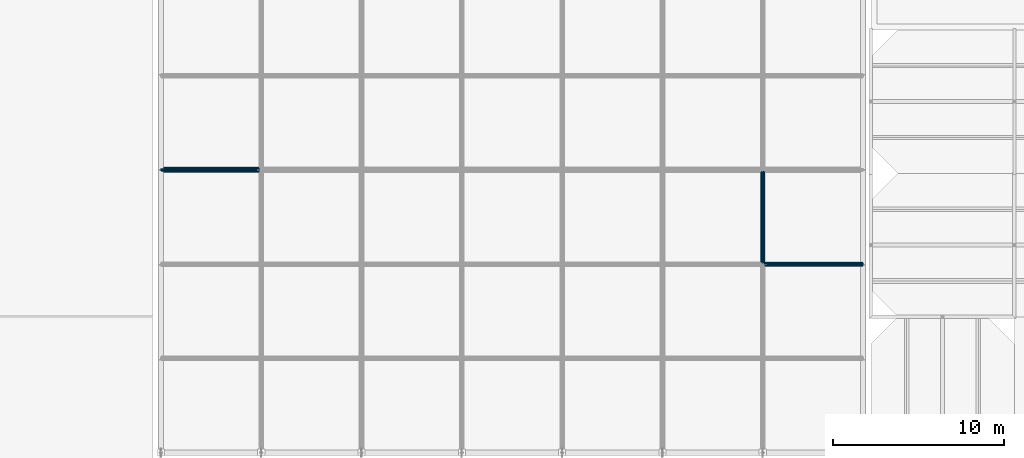
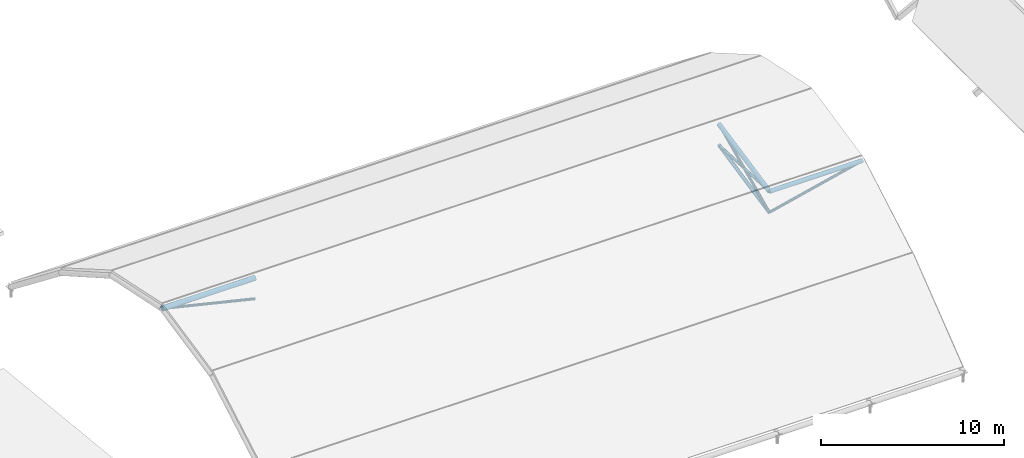
# One storey, part 7 of 82: 8 members.
"""IFC4 building model written with IfcOpenShell, lengths in metres."""

import ifcopenshell
import ifcopenshell.guid

model = None  # the IFC model being written
_history = None  # IfcOwnerHistory: only IFC2X3 demands one
_inside = {}  # id of a spatial element -> (the spatial element, [elements in it])
_under = {}  # id of a project, library or spatial element -> (it, [spatial elements below it])
_declared = {}  # id of a project -> (the project, [libraries it declares])
_typed = {}  # id of a type object -> (the type object, [elements of that type])
_made_of = {}  # id of a material, layer set ... -> (it, [elements and type objects made of it])


def new_model(schema):
    """Start an empty IFC model of exactly this schema.

    Asked for "IFC4X3", IfcOpenShell would pick the latest addendum, in which some entities
    have other attributes; the version numbers below select the first issue.
    IFC2X3 requires an IfcOwnerHistory on every rooted entity: one is made here for all.
    """
    global model, _history
    if schema == "IFC4X3":
        model = ifcopenshell.file(schema_version=(4, 3, 0, 0))
    else:
        model = ifcopenshell.file(schema=schema)
    _inside.clear()
    _under.clear()
    _declared.clear()
    _typed.clear()
    _made_of.clear()
    _history = None
    if model.schema == "IFC2X3":
        org = make("IfcOrganization", Name="unknown")
        user = make(
            "IfcPersonAndOrganization",
            ThePerson=make("IfcPerson", FamilyName="unknown"),
            TheOrganization=org,
        )
        app = make(
            "IfcApplication",
            ApplicationDeveloper=org,
            Version="unknown",
            ApplicationFullName="unknown",
            ApplicationIdentifier="unknown",
        )
        _history = make(
            "IfcOwnerHistory",
            OwningUser=user,
            OwningApplication=app,
            ChangeAction="ADDED",
            CreationDate=0,
        )
    return model


def make(cls, **values):
    """One entity of the class cls with the attributes given. An attribute that is None is left unset."""
    return model.create_entity(
        cls, **{name: value for name, value in values.items() if value is not None}
    )


def rooted(cls, **values):
    """An entity with a GlobalId (a new one), such as an element, a storey or a relation."""
    return make(cls, GlobalId=ifcopenshell.guid.new(), OwnerHistory=_history, **values)


def si_unit(unit_type, name, prefix=None):
    """IfcSIUnit, for example si_unit("LENGTHUNIT", "METRE", prefix="MILLI")."""
    return make("IfcSIUnit", UnitType=unit_type, Prefix=prefix, Name=name)


def assignment(units):
    """IfcUnitAssignment: the units of a project."""
    return None if units is None else make("IfcUnitAssignment", Units=units)


def point(xyz):
    """IfcCartesianPoint."""
    return None if xyz is None else make("IfcCartesianPoint", Coordinates=xyz)


def direction(xyz):
    """IfcDirection."""
    return None if xyz is None else make("IfcDirection", DirectionRatios=xyz)


def frame(location, z_axis=None, x_axis=None):
    """IfcAxis2Placement3D, a coordinate frame: its origin and axes. An axis left out is left unset."""
    return make(
        "IfcAxis2Placement3D",
        Location=point(location),
        Axis=direction(z_axis),
        RefDirection=direction(x_axis),
    )


def frame_2d(location, x_axis=None):
    """IfcAxis2Placement2D, a coordinate frame in the plane: its origin and x axis."""
    return make(
        "IfcAxis2Placement2D", Location=point(location), RefDirection=direction(x_axis)
    )


def origin():
    """The frame at (0, 0, 0) with its axes left unset."""
    return frame((0.0, 0.0, 0.0))


def origin_2d():
    """The frame at (0, 0) in the plane with its x axis left unset."""
    return frame_2d((0.0, 0.0))


def place(relative_to, where):
    """IfcLocalPlacement: puts the frame where relative to a parent placement (None: the world)."""
    return make(
        "IfcLocalPlacement", PlacementRelTo=relative_to, RelativePlacement=where
    )


def context(
    kind, dimensions, precision=None, world=None, true_north=None, identifier=None
):
    """IfcGeometricRepresentationContext, for example the 3D "Model" context."""
    return make(
        "IfcGeometricRepresentationContext",
        ContextIdentifier=identifier,
        ContextType=kind,
        CoordinateSpaceDimension=dimensions,
        Precision=precision,
        WorldCoordinateSystem=world,
        TrueNorth=true_north,
    )


def subcontext(parent, identifier, kind, view, scale=None):
    """IfcGeometricRepresentationSubContext, for example "Body" below "Model"."""
    return make(
        "IfcGeometricRepresentationSubContext",
        ContextIdentifier=identifier,
        ContextType=kind,
        ParentContext=parent,
        TargetScale=scale,
        TargetView=view,
    )


def project(units=None, contexts=None):
    """IfcProject with its units and contexts."""
    return rooted(
        "IfcProject",
        Name="project",
        RepresentationContexts=contexts,
        UnitsInContext=assignment(units),
    )


def spatial(cls, under=None, at=None, **own):
    """A site, building, storey or space (cls), placed at a placement, below another one or the project."""
    s = rooted(cls, ObjectPlacement=at, **own)
    if under is not None:
        _under.setdefault(under.id(), (under, []))[1].append(s)
    return s


def profile(cls, at=None, kind="AREA", **sizes):
    """A parametric profile (cls). Its sizes go by their IFC names, for example OverallWidth=200.0."""
    return make(cls, ProfileType=kind, Position=at, **sizes)


def hollow_circle(**sizes):
    """IfcCircleHollowProfileDef."""
    return profile("IfcCircleHollowProfileDef", **sizes)


def extrude(swept, where, along, depth):
    """IfcExtrudedAreaSolid: the profile swept, set in the frame where, extruded along a direction by depth."""
    return make(
        "IfcExtrudedAreaSolid",
        SweptArea=swept,
        Position=where,
        ExtrudedDirection=direction(along),
        Depth=depth,
    )


def shape(context_of_items, identifier, shape_type, items):
    """IfcShapeRepresentation: the items that make up one representation, for example the "Body"."""
    return make(
        "IfcShapeRepresentation",
        ContextOfItems=context_of_items,
        RepresentationIdentifier=identifier,
        RepresentationType=shape_type,
        Items=items,
    )


def material(Name=None, Category=None):
    """IfcMaterial."""
    return make("IfcMaterial", Name=Name, Category=Category)


def material_profile(
    of_material, cross_section, Name=None, Category=None, Priority=None
):
    """IfcMaterialProfile: a cross section and its material."""
    return make(
        "IfcMaterialProfile",
        Name=Name,
        Material=of_material,
        Profile=cross_section,
        Priority=Priority,
        Category=Category,
    )


def profile_set(profiles, Name=None, composite=None):
    """IfcMaterialProfileSet."""
    return make(
        "IfcMaterialProfileSet",
        Name=Name,
        MaterialProfiles=profiles,
        CompositeProfile=composite,
    )


def made_of(thing, what):
    """Note that an element or type object is made of a material, layer set ...; save() writes the relation."""
    if what is not None:
        _made_of.setdefault(what.id(), (what, []))[1].append(thing)
    return thing


def type_object(cls, material=None, **own):
    """A type object (cls), such as IfcWallType, which elements share."""
    return made_of(rooted(cls, **own), material)


def element(
    cls,
    number,
    at=None,
    inside=None,
    cuts=None,
    type_object=None,
    material=None,
    context=None,
    identifier="Body",
    shape_type=None,
    held_by="IfcProductDefinitionShape",
    body=None,
    shapes=None,
    **own,
):
    """One element of the class cls, such as IfcWall. Its Tag is "e" and its number.

    at: its placement. inside: the storey or other place that contains it. cuts: it is an
    opening in that element (IfcRelVoidsElement). A single representation is given by context,
    identifier, shape_type and body (its items); several are given by shapes. held_by: the class
    of the entity that holds the representations. save() writes the other relations.
    """
    e = rooted(cls, Tag="e%d" % number, ObjectPlacement=at, **own)
    if body is not None:
        shapes = [shape(context, identifier, shape_type, body)]
    if shapes is not None:
        e.Representation = make(held_by, Representations=shapes)
    if inside is not None:
        _inside.setdefault(inside.id(), (inside, []))[1].append(e)
    if cuts is not None:
        rooted(
            "IfcRelVoidsElement", RelatingBuildingElement=cuts, RelatedOpeningElement=e
        )
    if type_object is not None:
        _typed.setdefault(type_object.id(), (type_object, []))[1].append(e)
    return made_of(e, material)


def aggregate(whole, parts):
    """IfcRelAggregates: a whole, such as a stair, and the parts it consists of."""
    return rooted("IfcRelAggregates", RelatingObject=whole, RelatedObjects=parts)


def save(model, path):
    """Write the relations noted so far, then the file.

    IfcRelAggregates (storeys below a building ...), IfcRelContainedInSpatialStructure (elements
    in a storey), IfcRelDefinesByType, IfcRelAssociatesMaterial and IfcRelDeclares: one each for
    every whole, place, type object, material and project.
    """
    for whole, parts in _under.values():
        aggregate(whole, parts)
    for where, things in _inside.values():
        rooted(
            "IfcRelContainedInSpatialStructure",
            RelatedElements=things,
            RelatingStructure=where,
        )
    for kind, things in _typed.values():
        rooted("IfcRelDefinesByType", RelatedObjects=things, RelatingType=kind)
    for what, things in _made_of.values():
        rooted("IfcRelAssociatesMaterial", RelatedObjects=things, RelatingMaterial=what)
    for by, libraries in _declared.values():
        rooted("IfcRelDeclares", RelatingContext=by, RelatedDefinitions=libraries)
    model.write(path)


model = new_model("IFC4")

# Units and contexts
model_context = context("Model", 3, precision=1e-05, world=origin(), true_north=direction((0.0, 1.0)))
body_context = subcontext(model_context, "Body", "Model", "MODEL_VIEW")
ifc_project = project(units=[si_unit("LENGTHUNIT", "METRE"), si_unit("AREAUNIT", "SQUARE_METRE"), si_unit("VOLUMEUNIT", "CUBIC_METRE"), si_unit("PLANEANGLEUNIT", "RADIAN"), si_unit("MASSUNIT", "GRAM", prefix="KILO")], contexts=[model_context])

# Site, building, storey
site_placement = place(None, origin())
site = spatial("IfcSite", under=ifc_project, at=site_placement, CompositionType="ELEMENT")
building_placement = place(site_placement, origin())
building = spatial("IfcBuilding", under=site, at=building_placement, Name="Bramfleet General Hospital", CompositionType="ELEMENT")
storey_placement = place(building_placement, frame((0.0, 0.0, 34.199951171875)))
storey = spatial("IfcBuildingStorey", under=building, at=storey_placement, Name="Roof", CompositionType="ELEMENT", Elevation=34.199951171875)

# Members
ifc_material = material(Name="Steel S355", Category="steel")
ifc_material_profile_1 = material_profile(ifc_material, hollow_circle(Radius=0.109619140625, WallThickness=0.010009765625, at=origin_2d()), Name="CHS 219.1x10.0")
ifc_profile_set_1 = profile_set([ifc_material_profile_1], Name="Steel S355")
member_type_1 = type_object("IfcMemberType", Name="MEM-SF-BC2", PredefinedType="CHORD", material=ifc_profile_set_1)
member_1_placement = place(storey_placement, frame((86.07861328125, 28.283447265625, -13.402099609375), z_axis=(0.0, 0.978880830839, 0.204431697678), x_axis=(-1.0, 0.0, 0.0)))
element("IfcMember", 1, at=member_1_placement, inside=storey, type_object=member_type_1, Name="Space Frame Bottom Chord Y 6-2", PredefinedType="CHORD", context=body_context, shape_type="SweptSolid", body=[
    extrude(hollow_circle(Radius=0.109619140625, WallThickness=0.010009765625, at=origin_2d()), origin(), (0.0, 0.0, 1.0), 5.6357421875),
])
ifc_material_profile_2 = material_profile(ifc_material, hollow_circle(Radius=0.084228515625, WallThickness=0.008056640625, at=origin_2d()), Name="CHS 168.3x8.0")
ifc_profile_set_2 = profile_set([ifc_material_profile_2], Name="Steel S355")
member_type_2 = type_object("IfcMemberType", Name="MEM-SF-DG1", PredefinedType="STRUT", material=ifc_profile_set_2)
for number, where, z_axis, x_axis, name in (
    (2, (56.721435546875, 33.800048828125, -12.25), (-0.97272369554, 0.0, 0.231966834127), (0.0, -1.0, 0.0), "Space Frame Web Strut 1-3-W"),
    (3, (86.07861328125, 28.283447265625, -13.402099609375), (0.972732821449, 0.0, 0.231928562443), (0.0, 1.0, 0.0), "Space Frame Web Strut 6-2-E"),
):
    element("IfcMember", number, at=place(storey_placement, frame(where, z_axis=z_axis, x_axis=x_axis)), inside=storey, type_object=member_type_2, Name=name, PredefinedType="STRUT", context=body_context, shape_type="SweptSolid", body=[
        extrude(hollow_circle(Radius=0.084228515625, WallThickness=0.008056640625, at=origin_2d()), origin(), (0.0, 0.0, 1.0), 6.035888671875),
    ])
member_2_placement = place(storey_placement, frame((86.07861328125, 28.283447265625, -13.402099609375), z_axis=(0.0, 0.907575768803, 0.419888346923), x_axis=(-1.0, 0.0, 0.0)))
element("IfcMember", 4, at=member_2_placement, inside=storey, type_object=member_type_2, Name="Space Frame Web Strut 6-2-N", PredefinedType="STRUT", context=body_context, shape_type="SweptSolid", body=[
    extrude(hollow_circle(Radius=0.084228515625, WallThickness=0.008056640625, at=origin_2d()), origin(), (0.0, 0.0, 1.0), 6.078369140625),
])
member_3_placement = place(storey_placement, frame((86.07861328125, 33.800048828125, -12.25), z_axis=(0.0, -0.998992645483, 0.044874204955), x_axis=(1.0, 0.0, 0.0)))
element("IfcMember", 5, at=member_3_placement, inside=storey, type_object=member_type_2, Name="Space Frame Web Strut 6-3-S", PredefinedType="STRUT", context=body_context, shape_type="SweptSolid", body=[
    extrude(hollow_circle(Radius=0.084228515625, WallThickness=0.008056640625, at=origin_2d()), origin(), (0.0, 0.0, 1.0), 5.522216796875),
])
ifc_material_profile_3 = material_profile(ifc_material, hollow_circle(Radius=0.161865234375, WallThickness=0.012451171875, at=origin_2d()), Name="CHS 323.9x12.5")
ifc_profile_set_3 = profile_set([ifc_material_profile_3], Name="Steel S355")
member_type_3 = type_object("IfcMemberType", Name="MEM-SF-TC1", PredefinedType="CHORD", material=ifc_profile_set_3)
member_4_placement = place(storey_placement, frame((50.85009765625, 33.800048828125, -10.849853515625), z_axis=(1.0, 0.0, 0.0), x_axis=(0.0, 1.0, 0.0)))
element("IfcMember", 6, at=member_4_placement, inside=storey, type_object=member_type_3, Name="Space Frame Top Chord X 0-3", PredefinedType="CHORD", context=body_context, shape_type="SweptSolid", body=[
    extrude(hollow_circle(Radius=0.161865234375, WallThickness=0.012451171875, at=origin_2d()), origin(), (0.0, 0.0, 1.0), 5.871337890625),
])
ifc_material_profile_4 = material_profile(ifc_material, hollow_circle(Radius=0.136474609375, WallThickness=0.012451171875, at=origin_2d()), Name="CHS 273.0x12.5")
ifc_profile_set_4 = profile_set([ifc_material_profile_4], Name="Steel S355")
member_type_4 = type_object("IfcMemberType", Name="MEM-SF-TC2", PredefinedType="CHORD", material=ifc_profile_set_4)
member_5_placement = place(storey_placement, frame((86.07861328125, 28.283447265625, -12.002197265625), z_axis=(1.0, 0.0, 0.0), x_axis=(0.0, 1.0, 0.0)))
element("IfcMember", 7, at=member_5_placement, inside=storey, type_object=member_type_4, Name="Space Frame Top Chord X 6-2", PredefinedType="CHORD", context=body_context, shape_type="SweptSolid", body=[
    extrude(hollow_circle(Radius=0.136474609375, WallThickness=0.012451171875, at=origin_2d()), origin(), (0.0, 0.0, 1.0), 5.871337890625),
])
member_6_placement = place(storey_placement, frame((86.07861328125, 28.283447265625, -12.002197265625), z_axis=(0.0, 0.97887216089, 0.204473207621), x_axis=(-1.0, 0.0, 0.0)))
element("IfcMember", 8, at=member_6_placement, inside=storey, type_object=member_type_4, Name="Space Frame Top Chord Y 6-2", PredefinedType="CHORD", context=body_context, shape_type="SweptSolid", body=[
    extrude(hollow_circle(Radius=0.136474609375, WallThickness=0.012451171875, at=origin_2d()), origin(), (0.0, 0.0, 1.0), 5.6357421875),
])

save(model, "model.ifc")
